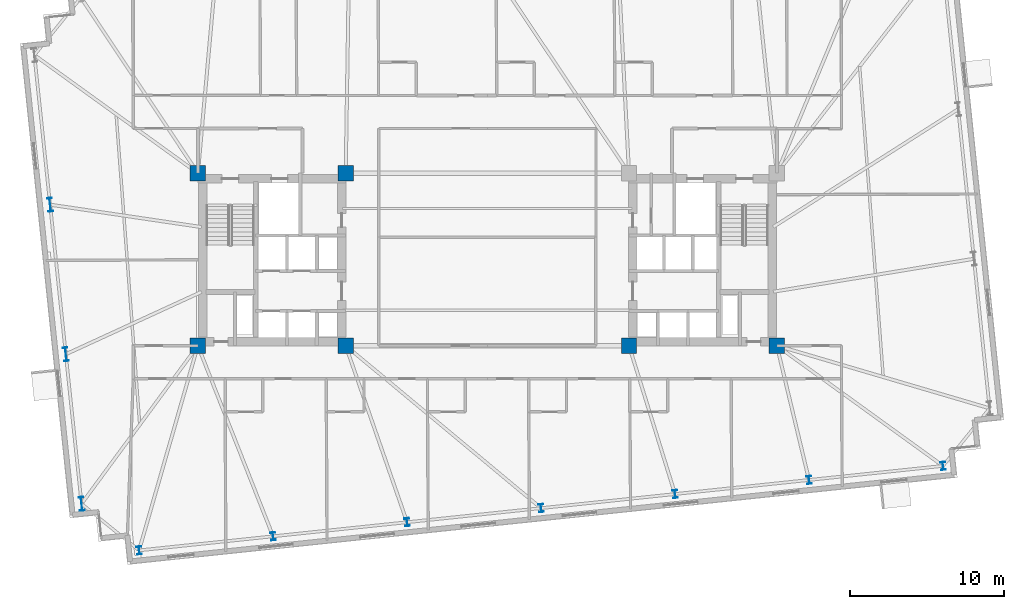
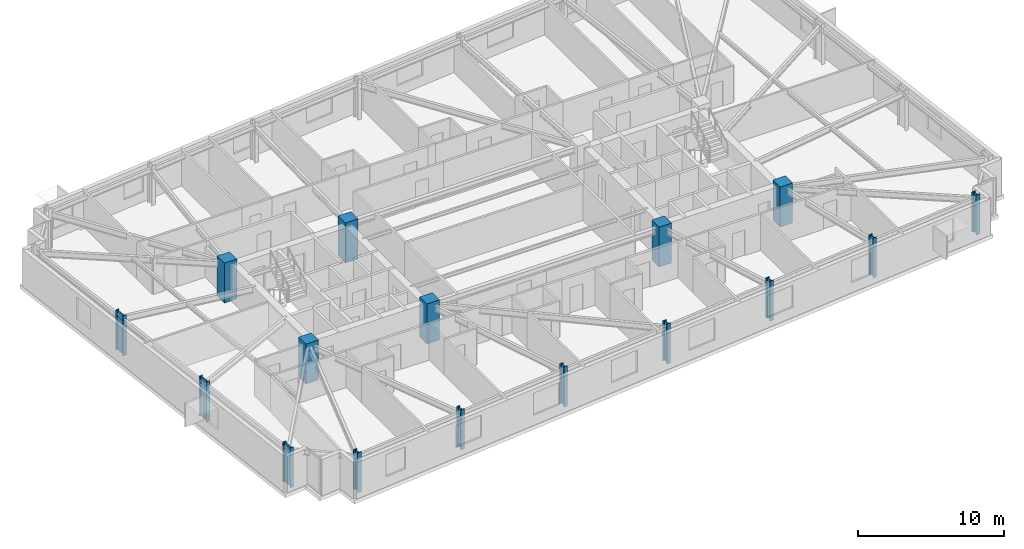
# One storey, part 1 of 19: 16 columns.
"""IFC4 building model written with IfcOpenShell, lengths in metres."""

from ifc_helpers import new_model, si_unit, direction, frame, origin, origin_2d, place, context, subcontext, project, spatial, rectangle, i_section, extrude, material, material_profile, profile_set, type_object, element, save


model = new_model("IFC4")

# Units and contexts
model_context = context("Model", 3, precision=1e-05, world=origin(), true_north=direction((0.0, 1.0)))
body_context = subcontext(model_context, "Body", "Model", "MODEL_VIEW")
ifc_project = project(units=[si_unit("LENGTHUNIT", "METRE"), si_unit("AREAUNIT", "SQUARE_METRE"), si_unit("VOLUMEUNIT", "CUBIC_METRE"), si_unit("PLANEANGLEUNIT", "RADIAN"), si_unit("MASSUNIT", "GRAM", prefix="KILO")], contexts=[model_context])

# Site, building, storey
site_placement = place(None, origin())
site = spatial("IfcSite", under=ifc_project, at=site_placement, CompositionType="ELEMENT")
building_placement = place(site_placement, origin())
building = spatial("IfcBuilding", under=site, at=building_placement, Name="Qobustan Lattice House", CompositionType="ELEMENT")
storey_placement = place(building_placement, frame((0.0, 0.0, 115.85009765625)))
storey = spatial("IfcBuildingStorey", under=building, at=storey_placement, Name="L32", CompositionType="ELEMENT", Elevation=115.85009765625)

# Columns
ifc_material_1 = material(Name="Concrete C60/75", Category="concrete")
ifc_material_profile_1 = material_profile(ifc_material_1, rectangle(XDim=1.0, YDim=1.0, at=origin_2d()), Name="RC1000x1000")
ifc_profile_set_1 = profile_set([ifc_material_profile_1], Name="Concrete C60/75")
column_type_1 = type_object("IfcColumnType", Name="COL-RC-1000", PredefinedType="COLUMN", material=ifc_profile_set_1)
for number, where, z_axis, x_axis, name in (
    (1, (-18.800048828125, -5.60009765625, 0.0), (0.0, 0.0, 1.0), (1.0, 0.0, 0.0), "L32 core mega-column CW-SW"),
    (2, (-18.800048828125, 5.60009765625, 0.0), (0.0, 0.0, 1.0), (1.0, 0.0, 0.0), "L32 core mega-column CW-NW"),
    (3, (-9.199951171875, -5.60009765625, 0.0), (0.0, 0.0, 1.0), (1.0, 0.0, 0.0), "L32 core mega-column CW-SE"),
    (4, (-9.199951171875, 5.60009765625, 0.0), (0.0, 0.0, 1.0), (1.0, 0.0, 0.0), "L32 core mega-column CW-NE"),
    (5, (9.199951171875, -5.60009765625, 0.0), (0.0, 0.0, 1.0), (1.0, 0.0, 0.0), "L32 core mega-column CE-SW"),
    (6, (18.800048828125, -5.60009765625, 0.0), (0.0, 0.0, 1.0), (1.0, 0.0, 0.0), "L32 core mega-column CE-SE"),
):
    element("IfcColumn", number, at=place(storey_placement, frame(where, z_axis=z_axis, x_axis=x_axis)), inside=storey, type_object=column_type_1, Name=name, PredefinedType="COLUMN", context=body_context, shape_type="SweptSolid", body=[
        extrude(rectangle(XDim=1.0, YDim=1.0, at=origin_2d()), origin(), (0.0, 0.0, 1.0), 3.349853515625),
    ])
ifc_material_2 = material(Name="Steel S355", Category="steel")
ifc_material_profile_2 = material_profile(ifc_material_2, i_section(OverallWidth=0.300048828125, OverallDepth=0.89990234375, WebThickness=0.0185546875, FlangeThickness=0.034912109375, FilletRadius=0.030029296875, at=origin_2d()), Name="HEB900")
ifc_profile_set_2 = profile_set([ifc_material_profile_2], Name="Steel S355")
column_type_2 = type_object("IfcColumnType", Name="COL-ST-HEB900", PredefinedType="COLUMN", material=ifc_profile_set_2)
for number, where, z_axis, x_axis, name in (
    (7, (-28.39794921875, 3.557373046875, 0.0), (0.0, 0.0, 1.0), (0.994521895368, 0.104528463268, 0.0), "L32 B2 perimeter column W2"),
    (8, (-27.377197265625, -6.156005859375, 0.0), (0.0, 0.0, 1.0), (0.994521895368, 0.104528463268, 0.0), "L32 B2 perimeter column W3"),
    (9, (-26.356201171875, -15.868896484375, 0.0), (0.0, 0.0, 1.0), (0.994521895368, 0.104528463268, 0.0), "L32 B2 perimeter column W4"),
):
    element("IfcColumn", number, at=place(storey_placement, frame(where, z_axis=z_axis, x_axis=x_axis)), inside=storey, type_object=column_type_2, Name=name, PredefinedType="COLUMN", context=body_context, shape_type="SweptSolid", body=[
        extrude(i_section(OverallWidth=0.300048828125, OverallDepth=0.89990234375, WebThickness=0.0185546875, FlangeThickness=0.034912109375, FilletRadius=0.030029296875, at=origin_2d()), origin(), (0.0, 0.0, 1.0), 3.349853515625),
    ])
ifc_material_3 = material(Name="Steel S355", Category="steel")
ifc_material_profile_3 = material_profile(ifc_material_3, i_section(OverallWidth=0.305908203125, OverallDepth=0.52392578125, WebThickness=0.02099609375, FlangeThickness=0.0400390625, FilletRadius=0.027099609375, at=origin_2d()), Name="HEM500")
ifc_profile_set_3 = profile_set([ifc_material_profile_3], Name="Steel S355")
column_type_3 = type_object("IfcColumnType", Name="COL-ST-HEM500", PredefinedType="COLUMN", material=ifc_profile_set_3)
for number, where, z_axis, x_axis, name in (
    (10, (-22.619384765625, -18.89501953125, 0.0), (0.0, 0.0, 1.0), (0.994521895368, 0.104528463268, 0.0), "L32 B2 perimeter column S1"),
    (11, (-13.91748046875, -17.98046875, 0.0), (0.0, 0.0, 1.0), (0.994521895368, 0.104528463268, 0.0), "L32 B2 perimeter column S2"),
    (12, (-5.21533203125, -17.065673828125, 0.0), (0.0, 0.0, 1.0), (0.994521895368, 0.104528463268, 0.0), "L32 B2 perimeter column S3"),
    (13, (3.48681640625, -16.151123046875, 0.0), (0.0, 0.0, 1.0), (0.994521895368, 0.104528463268, 0.0), "L32 B2 perimeter column S4"),
    (14, (12.188720703125, -15.236572265625, 0.0), (0.0, 0.0, 1.0), (0.994521895368, 0.104528463268, 0.0), "L32 B2 perimeter column S5"),
    (15, (20.890869140625, -14.322021484375, 0.0), (0.0, 0.0, 1.0), (0.994521895368, 0.104528463268, 0.0), "L32 B2 perimeter column S6"),
    (16, (29.593017578125, -13.4072265625, 0.0), (0.0, 0.0, 1.0), (0.994521895368, 0.104528463268, 0.0), "L32 B2 perimeter column S7"),
):
    element("IfcColumn", number, at=place(storey_placement, frame(where, z_axis=z_axis, x_axis=x_axis)), inside=storey, type_object=column_type_3, Name=name, PredefinedType="COLUMN", context=body_context, shape_type="SweptSolid", body=[
        extrude(i_section(OverallWidth=0.305908203125, OverallDepth=0.52392578125, WebThickness=0.02099609375, FlangeThickness=0.0400390625, FilletRadius=0.027099609375, at=origin_2d()), origin(), (0.0, 0.0, 1.0), 3.349853515625),
    ])

save(model, "model.ifc")
